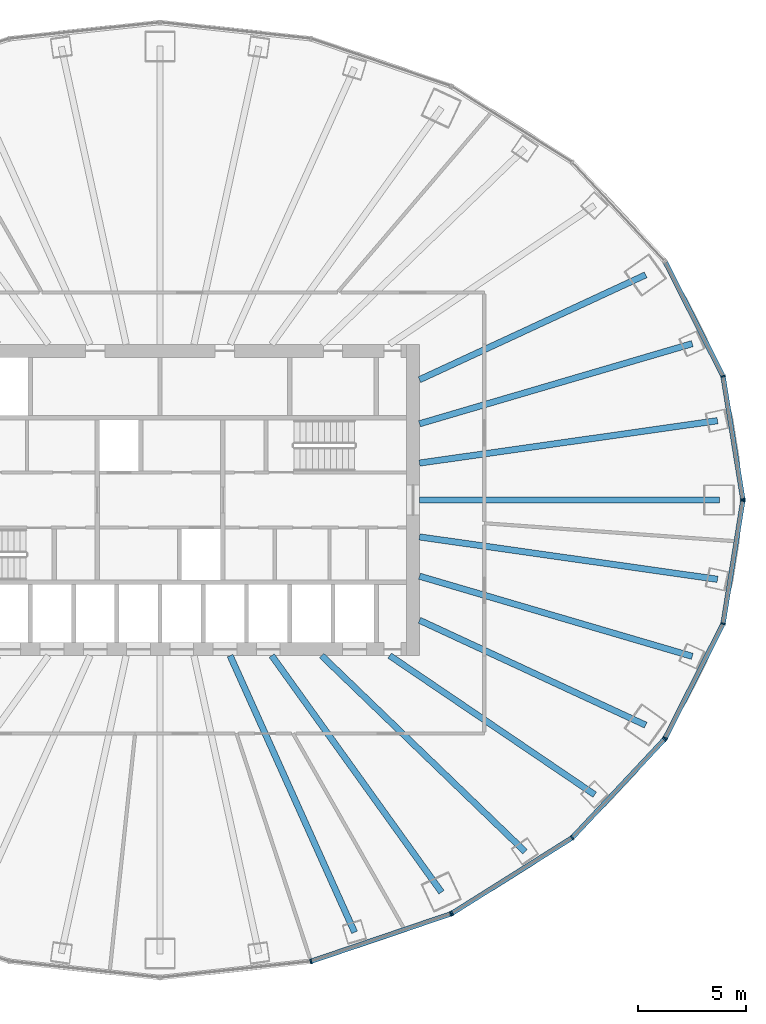
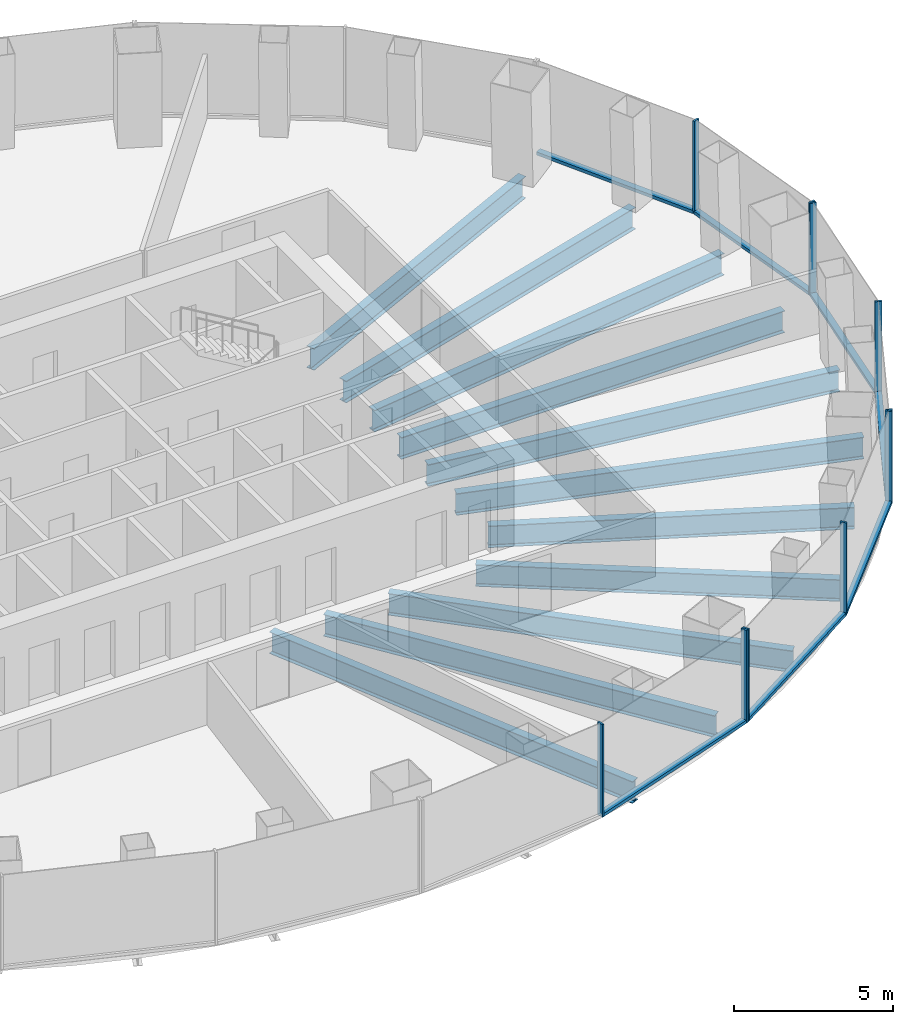
# One storey, part 4 of 11: 17 members, 11 beams, 4 elements without a shape of their own.
"""IFC4 building model written with IfcOpenShell, lengths in metres."""

import ifcopenshell
import ifcopenshell.guid

model = None  # the IFC model being written
_history = None  # IfcOwnerHistory: only IFC2X3 demands one
_inside = {}  # id of a spatial element -> (the spatial element, [elements in it])
_under = {}  # id of a project, library or spatial element -> (it, [spatial elements below it])
_declared = {}  # id of a project -> (the project, [libraries it declares])
_typed = {}  # id of a type object -> (the type object, [elements of that type])
_made_of = {}  # id of a material, layer set ... -> (it, [elements and type objects made of it])


def new_model(schema):
    """Start an empty IFC model of exactly this schema.

    Asked for "IFC4X3", IfcOpenShell would pick the latest addendum, in which some entities
    have other attributes; the version numbers below select the first issue.
    IFC2X3 requires an IfcOwnerHistory on every rooted entity: one is made here for all.
    """
    global model, _history
    if schema == "IFC4X3":
        model = ifcopenshell.file(schema_version=(4, 3, 0, 0))
    else:
        model = ifcopenshell.file(schema=schema)
    _inside.clear()
    _under.clear()
    _declared.clear()
    _typed.clear()
    _made_of.clear()
    _history = None
    if model.schema == "IFC2X3":
        org = make("IfcOrganization", Name="unknown")
        user = make(
            "IfcPersonAndOrganization",
            ThePerson=make("IfcPerson", FamilyName="unknown"),
            TheOrganization=org,
        )
        app = make(
            "IfcApplication",
            ApplicationDeveloper=org,
            Version="unknown",
            ApplicationFullName="unknown",
            ApplicationIdentifier="unknown",
        )
        _history = make(
            "IfcOwnerHistory",
            OwningUser=user,
            OwningApplication=app,
            ChangeAction="ADDED",
            CreationDate=0,
        )
    return model


def make(cls, **values):
    """One entity of the class cls with the attributes given. An attribute that is None is left unset."""
    return model.create_entity(
        cls, **{name: value for name, value in values.items() if value is not None}
    )


def rooted(cls, **values):
    """An entity with a GlobalId (a new one), such as an element, a storey or a relation."""
    return make(cls, GlobalId=ifcopenshell.guid.new(), OwnerHistory=_history, **values)


def si_unit(unit_type, name, prefix=None):
    """IfcSIUnit, for example si_unit("LENGTHUNIT", "METRE", prefix="MILLI")."""
    return make("IfcSIUnit", UnitType=unit_type, Prefix=prefix, Name=name)


def assignment(units):
    """IfcUnitAssignment: the units of a project."""
    return None if units is None else make("IfcUnitAssignment", Units=units)


def point(xyz):
    """IfcCartesianPoint."""
    return None if xyz is None else make("IfcCartesianPoint", Coordinates=xyz)


def direction(xyz):
    """IfcDirection."""
    return None if xyz is None else make("IfcDirection", DirectionRatios=xyz)


def frame(location, z_axis=None, x_axis=None):
    """IfcAxis2Placement3D, a coordinate frame: its origin and axes. An axis left out is left unset."""
    return make(
        "IfcAxis2Placement3D",
        Location=point(location),
        Axis=direction(z_axis),
        RefDirection=direction(x_axis),
    )


def frame_2d(location, x_axis=None):
    """IfcAxis2Placement2D, a coordinate frame in the plane: its origin and x axis."""
    return make(
        "IfcAxis2Placement2D", Location=point(location), RefDirection=direction(x_axis)
    )


def origin():
    """The frame at (0, 0, 0) with its axes left unset."""
    return frame((0.0, 0.0, 0.0))


def origin_2d():
    """The frame at (0, 0) in the plane with its x axis left unset."""
    return frame_2d((0.0, 0.0))


def place(relative_to, where):
    """IfcLocalPlacement: puts the frame where relative to a parent placement (None: the world)."""
    return make(
        "IfcLocalPlacement", PlacementRelTo=relative_to, RelativePlacement=where
    )


def context(
    kind, dimensions, precision=None, world=None, true_north=None, identifier=None
):
    """IfcGeometricRepresentationContext, for example the 3D "Model" context."""
    return make(
        "IfcGeometricRepresentationContext",
        ContextIdentifier=identifier,
        ContextType=kind,
        CoordinateSpaceDimension=dimensions,
        Precision=precision,
        WorldCoordinateSystem=world,
        TrueNorth=true_north,
    )


def subcontext(parent, identifier, kind, view, scale=None):
    """IfcGeometricRepresentationSubContext, for example "Body" below "Model"."""
    return make(
        "IfcGeometricRepresentationSubContext",
        ContextIdentifier=identifier,
        ContextType=kind,
        ParentContext=parent,
        TargetScale=scale,
        TargetView=view,
    )


def project(units=None, contexts=None):
    """IfcProject with its units and contexts."""
    return rooted(
        "IfcProject",
        Name="project",
        RepresentationContexts=contexts,
        UnitsInContext=assignment(units),
    )


def spatial(cls, under=None, at=None, **own):
    """A site, building, storey or space (cls), placed at a placement, below another one or the project."""
    s = rooted(cls, ObjectPlacement=at, **own)
    if under is not None:
        _under.setdefault(under.id(), (under, []))[1].append(s)
    return s


def profile(cls, at=None, kind="AREA", **sizes):
    """A parametric profile (cls). Its sizes go by their IFC names, for example OverallWidth=200.0."""
    return make(cls, ProfileType=kind, Position=at, **sizes)


def rectangle(**sizes):
    """IfcRectangleProfileDef."""
    return profile("IfcRectangleProfileDef", **sizes)


def i_section(**sizes):
    """IfcIShapeProfileDef."""
    return profile("IfcIShapeProfileDef", **sizes)


def extrude(swept, where, along, depth):
    """IfcExtrudedAreaSolid: the profile swept, set in the frame where, extruded along a direction by depth."""
    return make(
        "IfcExtrudedAreaSolid",
        SweptArea=swept,
        Position=where,
        ExtrudedDirection=direction(along),
        Depth=depth,
    )


def shape(context_of_items, identifier, shape_type, items):
    """IfcShapeRepresentation: the items that make up one representation, for example the "Body"."""
    return make(
        "IfcShapeRepresentation",
        ContextOfItems=context_of_items,
        RepresentationIdentifier=identifier,
        RepresentationType=shape_type,
        Items=items,
    )


def material(Name=None, Category=None):
    """IfcMaterial."""
    return make("IfcMaterial", Name=Name, Category=Category)


def layer(
    of_material, thickness, ventilated=None, Name=None, Category=None, Priority=None
):
    """IfcMaterialLayer: one layer of a wall or slab, of a material (None: an air gap)."""
    return make(
        "IfcMaterialLayer",
        Material=of_material,
        LayerThickness=thickness,
        IsVentilated=ventilated,
        Name=Name,
        Category=Category,
        Priority=Priority,
    )


def layer_set(layers, Name=None):
    """IfcMaterialLayerSet."""
    return make("IfcMaterialLayerSet", MaterialLayers=layers, LayerSetName=Name)


def material_profile(
    of_material, cross_section, Name=None, Category=None, Priority=None
):
    """IfcMaterialProfile: a cross section and its material."""
    return make(
        "IfcMaterialProfile",
        Name=Name,
        Material=of_material,
        Profile=cross_section,
        Priority=Priority,
        Category=Category,
    )


def profile_set(profiles, Name=None, composite=None):
    """IfcMaterialProfileSet."""
    return make(
        "IfcMaterialProfileSet",
        Name=Name,
        MaterialProfiles=profiles,
        CompositeProfile=composite,
    )


def made_of(thing, what):
    """Note that an element or type object is made of a material, layer set ...; save() writes the relation."""
    if what is not None:
        _made_of.setdefault(what.id(), (what, []))[1].append(thing)
    return thing


def type_object(cls, material=None, **own):
    """A type object (cls), such as IfcWallType, which elements share."""
    return made_of(rooted(cls, **own), material)


def element(
    cls,
    number,
    at=None,
    inside=None,
    cuts=None,
    type_object=None,
    material=None,
    context=None,
    identifier="Body",
    shape_type=None,
    held_by="IfcProductDefinitionShape",
    body=None,
    shapes=None,
    **own,
):
    """One element of the class cls, such as IfcWall. Its Tag is "e" and its number.

    at: its placement. inside: the storey or other place that contains it. cuts: it is an
    opening in that element (IfcRelVoidsElement). A single representation is given by context,
    identifier, shape_type and body (its items); several are given by shapes. held_by: the class
    of the entity that holds the representations. save() writes the other relations.
    """
    e = rooted(cls, Tag="e%d" % number, ObjectPlacement=at, **own)
    if body is not None:
        shapes = [shape(context, identifier, shape_type, body)]
    if shapes is not None:
        e.Representation = make(held_by, Representations=shapes)
    if inside is not None:
        _inside.setdefault(inside.id(), (inside, []))[1].append(e)
    if cuts is not None:
        rooted(
            "IfcRelVoidsElement", RelatingBuildingElement=cuts, RelatedOpeningElement=e
        )
    if type_object is not None:
        _typed.setdefault(type_object.id(), (type_object, []))[1].append(e)
    return made_of(e, material)


def aggregate(whole, parts):
    """IfcRelAggregates: a whole, such as a stair, and the parts it consists of."""
    return rooted("IfcRelAggregates", RelatingObject=whole, RelatedObjects=parts)


def save(model, path):
    """Write the relations noted so far, then the file.

    IfcRelAggregates (storeys below a building ...), IfcRelContainedInSpatialStructure (elements
    in a storey), IfcRelDefinesByType, IfcRelAssociatesMaterial and IfcRelDeclares: one each for
    every whole, place, type object, material and project.
    """
    for whole, parts in _under.values():
        aggregate(whole, parts)
    for where, things in _inside.values():
        rooted(
            "IfcRelContainedInSpatialStructure",
            RelatedElements=things,
            RelatingStructure=where,
        )
    for kind, things in _typed.values():
        rooted("IfcRelDefinesByType", RelatedObjects=things, RelatingType=kind)
    for what, things in _made_of.values():
        rooted("IfcRelAssociatesMaterial", RelatedObjects=things, RelatingMaterial=what)
    for by, libraries in _declared.values():
        rooted("IfcRelDeclares", RelatingContext=by, RelatedDefinitions=libraries)
    model.write(path)


model = new_model("IFC4")

# Units and contexts
model_context = context("Model", 3, precision=1e-05, world=origin(), true_north=direction((0.0, 1.0)))
body_context = subcontext(model_context, "Body", "Model", "MODEL_VIEW")
ifc_project = project(units=[si_unit("LENGTHUNIT", "METRE"), si_unit("AREAUNIT", "SQUARE_METRE"), si_unit("VOLUMEUNIT", "CUBIC_METRE"), si_unit("PLANEANGLEUNIT", "RADIAN"), si_unit("MASSUNIT", "GRAM", prefix="KILO")], contexts=[model_context])

# Site, building, storey
site_placement = place(None, origin())
site = spatial("IfcSite", under=ifc_project, at=site_placement, CompositionType="ELEMENT")
building_placement = place(site_placement, origin())
building = spatial("IfcBuilding", under=site, at=building_placement, Name="Siaravel Broadcast Tower", CompositionType="ELEMENT")
storey_placement = place(building_placement, frame((0.0, 0.0, 74.10009765625)))
storey = spatial("IfcBuildingStorey", under=building, at=storey_placement, Name="L17", CompositionType="ELEMENT", Elevation=74.10009765625)

# Beams
ifc_material_1 = material(Name="Steel S355", Category="steel")
ifc_material_profile_1 = material_profile(ifc_material_1, i_section(OverallWidth=0.291748046875, OverallDepth=0.8349609375, WebThickness=0.013916015625, FlangeThickness=0.018798828125, FilletRadius=0.017822265625, at=origin_2d()))
ifc_profile_set_1 = profile_set([ifc_material_profile_1], Name="Steel S355")
beam_type = type_object("IfcBeamType", Name="BM-UB 838x292x176", PredefinedType="BEAM", material=ifc_profile_set_1)
beam_1_placement = place(storey_placement, frame((25.877685546875, 0.0, -0.567626953125), z_axis=(-1.0, 0.0, 0.0), x_axis=(0.0, -1.0, 0.0)))
element("IfcBeam", 1, at=beam_1_placement, inside=storey, type_object=beam_type, Name="Radial beam RB01", PredefinedType="BEAM", context=body_context, shape_type="SweptSolid", body=[
    extrude(i_section(OverallWidth=0.291748046875, OverallDepth=0.8349609375, WebThickness=0.013916015625, FlangeThickness=0.018798828125, FilletRadius=0.017822265625, at=origin_2d()), origin(), (0.0, 0.0, 1.0), 13.877685546875),
])
beam_2_placement = place(storey_placement, frame((25.78564453125, 3.6689453125, -0.567626953125), z_axis=(-0.990029287, -0.140861674, 0.0), x_axis=(0.140861674, -0.990029287, 0.0)))
element("IfcBeam", 2, at=beam_2_placement, inside=storey, type_object=beam_type, Name="Radial beam RB02", PredefinedType="BEAM", context=body_context, shape_type="SweptSolid", body=[
    extrude(i_section(OverallWidth=0.291748046875, OverallDepth=0.8349609375, WebThickness=0.013916015625, FlangeThickness=0.018798828125, FilletRadius=0.017822265625, at=origin_2d()), origin(), (0.0, 0.0, 1.0), 13.924560546875),
])
beam_3_placement = place(storey_placement, frame((24.61962890625, 7.23291015625, -0.567626953125), z_axis=(-0.959450581, -0.281876892, 0.0), x_axis=(0.281876892, -0.959450581, 0.0)))
element("IfcBeam", 3, at=beam_3_placement, inside=storey, type_object=beam_type, Name="Radial beam RB03", PredefinedType="BEAM", context=body_context, shape_type="SweptSolid", body=[
    extrude(i_section(OverallWidth=0.291748046875, OverallDepth=0.8349609375, WebThickness=0.013916015625, FlangeThickness=0.018798828125, FilletRadius=0.017822265625, at=origin_2d()), origin(), (0.0, 0.0, 1.0), 13.153076171875),
])
beam_4_placement = place(storey_placement, frame((22.464111328125, 10.4150390625, -0.567626953125), z_axis=(-0.907241267, -0.420610607, 0.0), x_axis=(0.420610607, -0.907241267, 0.0)))
element("IfcBeam", 4, at=beam_4_placement, inside=storey, type_object=beam_type, Name="Radial beam RB04", PredefinedType="BEAM", context=body_context, shape_type="SweptSolid", body=[
    extrude(i_section(OverallWidth=0.291748046875, OverallDepth=0.8349609375, WebThickness=0.013916015625, FlangeThickness=0.018798828125, FilletRadius=0.017822265625, at=origin_2d()), origin(), (0.0, 0.0, 1.0), 11.533935546875),
])
beam_5_placement = place(storey_placement, frame((8.998291015625, -19.998291015625, -0.567626953125), z_axis=(-0.410337191, 0.911933874, 0.0), x_axis=(-0.911933874, -0.410337191, 0.0)))
element("IfcBeam", 5, at=beam_5_placement, inside=storey, type_object=beam_type, Name="Radial beam RB30", PredefinedType="BEAM", context=body_context, shape_type="SweptSolid", body=[
    extrude(i_section(OverallWidth=0.291748046875, OverallDepth=0.8349609375, WebThickness=0.013916015625, FlangeThickness=0.018798828125, FilletRadius=0.017822265625, at=origin_2d()), origin(), (0.0, 0.0, 1.0), 14.0341796875),
])
beam_6_placement = place(storey_placement, frame((13.0185546875, -18.142822265625, -0.567626953125), z_axis=(-0.582992686, 0.812477401, 0.0), x_axis=(-0.812477401, -0.582992686, 0.0)))
element("IfcBeam", 6, at=beam_6_placement, inside=storey, type_object=beam_type, Name="Radial beam RB31", PredefinedType="BEAM", context=body_context, shape_type="SweptSolid", body=[
    extrude(i_section(OverallWidth=0.291748046875, OverallDepth=0.8349609375, WebThickness=0.013916015625, FlangeThickness=0.018798828125, FilletRadius=0.017822265625, at=origin_2d()), origin(), (0.0, 0.0, 1.0), 13.468505859375),
])
beam_7_placement = place(storey_placement, frame((16.8876953125, -16.2685546875, -0.567626953125), z_axis=(-0.720179523, 0.693787759, 0.0), x_axis=(-0.693787759, -0.720179523, 0.0)))
element("IfcBeam", 7, at=beam_7_placement, inside=storey, type_object=beam_type, Name="Radial beam RB32", PredefinedType="BEAM", context=body_context, shape_type="SweptSolid", body=[
    extrude(i_section(OverallWidth=0.291748046875, OverallDepth=0.8349609375, WebThickness=0.013916015625, FlangeThickness=0.018798828125, FilletRadius=0.017822265625, at=origin_2d()), origin(), (0.0, 0.0, 1.0), 13.071044921875),
])
beam_8_placement = place(storey_placement, frame((20.107177734375, -13.631591796875, -0.567626953125), z_axis=(-0.82771923, 0.561142474, 0.0), x_axis=(-0.561142474, -0.82771923, 0.0)))
element("IfcBeam", 8, at=beam_8_placement, inside=storey, type_object=beam_type, Name="Radial beam RB33", PredefinedType="BEAM", context=body_context, shape_type="SweptSolid", body=[
    extrude(i_section(OverallWidth=0.291748046875, OverallDepth=0.8349609375, WebThickness=0.013916015625, FlangeThickness=0.018798828125, FilletRadius=0.017822265625, at=origin_2d()), origin(), (0.0, 0.0, 1.0), 11.461669921875),
])
beam_9_placement = place(storey_placement, frame((22.464111328125, -10.4150390625, -0.567626953125), z_axis=(-0.907241267, 0.420610607, 0.0), x_axis=(-0.420610607, -0.907241267, 0.0)))
element("IfcBeam", 9, at=beam_9_placement, inside=storey, type_object=beam_type, Name="Radial beam RB34", PredefinedType="BEAM", context=body_context, shape_type="SweptSolid", body=[
    extrude(i_section(OverallWidth=0.291748046875, OverallDepth=0.8349609375, WebThickness=0.013916015625, FlangeThickness=0.018798828125, FilletRadius=0.017822265625, at=origin_2d()), origin(), (0.0, 0.0, 1.0), 11.533935546875),
])
beam_10_placement = place(storey_placement, frame((24.61962890625, -7.23291015625, -0.567626953125), z_axis=(-0.959450581, 0.281876892, 0.0), x_axis=(-0.281876892, -0.959450581, 0.0)))
element("IfcBeam", 10, at=beam_10_placement, inside=storey, type_object=beam_type, Name="Radial beam RB35", PredefinedType="BEAM", context=body_context, shape_type="SweptSolid", body=[
    extrude(i_section(OverallWidth=0.291748046875, OverallDepth=0.8349609375, WebThickness=0.013916015625, FlangeThickness=0.018798828125, FilletRadius=0.017822265625, at=origin_2d()), origin(), (0.0, 0.0, 1.0), 13.153076171875),
])
beam_11_placement = place(storey_placement, frame((25.78564453125, -3.6689453125, -0.567626953125), z_axis=(-0.990029287, 0.140861674, 0.0), x_axis=(-0.140861674, -0.990029287, 0.0)))
element("IfcBeam", 11, at=beam_11_placement, inside=storey, type_object=beam_type, Name="Radial beam RB36", PredefinedType="BEAM", context=body_context, shape_type="SweptSolid", body=[
    extrude(i_section(OverallWidth=0.291748046875, OverallDepth=0.8349609375, WebThickness=0.013916015625, FlangeThickness=0.018798828125, FilletRadius=0.017822265625, at=origin_2d()), origin(), (0.0, 0.0, 1.0), 13.924560546875),
])

# Curtain wall, members
ifc_material_2 = material(Name="Aluminium 6063-T6", Category="aluminium")
ifc_layer = layer(ifc_material_2, 0.219970703125)
ifc_layer_set = layer_set([ifc_layer], Name="Aluminium 6063-T6")
curtain_wall_type = type_object("IfcCurtainWallType", Name="Unitised curtain wall, zone 1", PredefinedType="NOTDEFINED", material=ifc_layer_set)
curtain_wall_1_placement = place(storey_placement, origin())
curtain_wall_1 = element("IfcCurtainWall", 12, at=curtain_wall_1_placement, inside=storey, type_object=curtain_wall_type, Name="L17 Unitised curtain wall, zone 1 01", PredefinedType="NOTDEFINED")
ifc_material_profile_2 = material_profile(ifc_material_2, rectangle(XDim=0.219970703125, YDim=0.070068359375, at=origin_2d()))
ifc_profile_set_2 = profile_set([ifc_material_profile_2], Name="Aluminium 6063-T6")
member_type_1 = type_object("IfcMemberType", Name="CW-Z1 mullion", PredefinedType="MULLION", material=ifc_profile_set_2)
member_1_placement = place(storey_placement, frame((26.9580078125, 0.03466796875, 0.0), z_axis=(0.0, 0.0, 1.0), x_axis=(-0.987329186, -0.158685468, 0.0)))
member_1 = element("IfcMember", 13, at=member_1_placement, type_object=member_type_1, Name="CW-Z1 mullion 1", PredefinedType="MULLION", context=body_context, shape_type="SweptSolid", body=[
    extrude(rectangle(XDim=0.219970703125, YDim=0.070068359375, at=origin_2d()), origin(), (0.0, 0.0, 1.0), 3.5498046875),
])
member_2_placement = place(storey_placement, frame((26.044189453125, 5.72119140625, 0.0), z_axis=(0.0, 0.0, 1.0), x_axis=(-0.951177254, -0.308645154, 0.0)))
member_2 = element("IfcMember", 14, at=member_2_placement, type_object=member_type_1, Name="CW-Z1 mullion 2", PredefinedType="MULLION", context=body_context, shape_type="SweptSolid", body=[
    extrude(rectangle(XDim=0.219970703125, YDim=0.070068359375, at=origin_2d()), origin(), (0.0, 0.0, 1.0), 3.5498046875),
])

curtain_wall_2_placement = place(storey_placement, origin())
curtain_wall_2 = element("IfcCurtainWall", 15, at=curtain_wall_2_placement, inside=storey, type_object=curtain_wall_type, Name="L17 Unitised curtain wall, zone 1 10", PredefinedType="NOTDEFINED")
member_3_placement = place(storey_placement, frame((6.9765625, -21.343017578125, 0.0), z_axis=(0.0, 0.0, 1.0), x_axis=(-0.21555841, 0.976490948, 0.0)))
member_3 = element("IfcMember", 16, at=member_3_placement, type_object=member_type_1, Name="CW-Z1 mullion 2", PredefinedType="MULLION", context=body_context, shape_type="SweptSolid", body=[
    extrude(rectangle(XDim=0.219970703125, YDim=0.070068359375, at=origin_2d()), origin(), (0.0, 0.0, 1.0), 3.5498046875),
])
member_4_placement = place(storey_placement, frame((13.445068359375, -19.148193359375, 0.0), z_axis=(0.0, 0.0, 1.0), x_axis=(-0.321301105, 0.946977085, 0.0)))
member_4 = element("IfcMember", 17, at=member_4_placement, type_object=member_type_1, Name="CW-Z1 mullion 3", PredefinedType="MULLION", context=body_context, shape_type="SweptSolid", body=[
    extrude(rectangle(XDim=0.219970703125, YDim=0.070068359375, at=origin_2d()), origin(), (0.0, 0.0, 1.0), 3.5498046875),
])

curtain_wall_3_placement = place(storey_placement, origin())
curtain_wall_3 = element("IfcCurtainWall", 18, at=curtain_wall_3_placement, inside=storey, type_object=curtain_wall_type, Name="L17 Unitised curtain wall, zone 1 11", PredefinedType="NOTDEFINED")
member_5_placement = place(storey_placement, frame((13.5078125, -19.118408203125, 0.0), z_axis=(0.0, 0.0, 1.0), x_axis=(-0.532149761, 0.846650242, 0.0)))
member_5 = element("IfcMember", 19, at=member_5_placement, type_object=member_type_1, Name="CW-Z1 mullion 1", PredefinedType="MULLION", context=body_context, shape_type="SweptSolid", body=[
    extrude(rectangle(XDim=0.219970703125, YDim=0.070068359375, at=origin_2d()), origin(), (0.0, 0.0, 1.0), 3.5498046875),
])
member_6_placement = place(storey_placement, frame((19.0625, -15.627197265625, 0.0), z_axis=(0.0, 0.0, 1.0), x_axis=(-0.63621907, 0.771508454, 0.0)))
member_6 = element("IfcMember", 20, at=member_6_placement, type_object=member_type_1, Name="CW-Z1 mullion 2", PredefinedType="MULLION", context=body_context, shape_type="SweptSolid", body=[
    extrude(rectangle(XDim=0.219970703125, YDim=0.070068359375, at=origin_2d()), origin(), (0.0, 0.0, 1.0), 3.5498046875),
])
member_7_placement = place(storey_placement, frame((23.32470703125, -11.076904296875, 0.0), z_axis=(0.0, 0.0, 1.0), x_axis=(-0.729805583, 0.683654746, 0.0)))
member_7 = element("IfcMember", 21, at=member_7_placement, type_object=member_type_1, Name="CW-Z1 mullion 3", PredefinedType="MULLION", context=body_context, shape_type="SweptSolid", body=[
    extrude(rectangle(XDim=0.219970703125, YDim=0.070068359375, at=origin_2d()), origin(), (0.0, 0.0, 1.0), 3.5498046875),
])

curtain_wall_4_placement = place(storey_placement, origin())
curtain_wall_4 = element("IfcCurtainWall", 22, at=curtain_wall_4_placement, inside=storey, type_object=curtain_wall_type, Name="L17 Unitised curtain wall, zone 1 12", PredefinedType="NOTDEFINED")
member_8_placement = place(storey_placement, frame((23.364501953125, -11.020263671875, 0.0), z_axis=(0.0, 0.0, 1.0), x_axis=(-0.892392184, 0.451260668, 0.0)))
member_8 = element("IfcMember", 23, at=member_8_placement, type_object=member_type_1, Name="CW-Z1 mullion 1", PredefinedType="MULLION", context=body_context, shape_type="SweptSolid", body=[
    extrude(rectangle(XDim=0.219970703125, YDim=0.070068359375, at=origin_2d()), origin(), (0.0, 0.0, 1.0), 3.5498046875),
])
member_9_placement = place(storey_placement, frame((26.044189453125, -5.72119140625, 0.0), z_axis=(0.0, 0.0, 1.0), x_axis=(-0.951177254, 0.308645154, 0.0)))
member_9 = element("IfcMember", 24, at=member_9_placement, type_object=member_type_1, Name="CW-Z1 mullion 2", PredefinedType="MULLION", context=body_context, shape_type="SweptSolid", body=[
    extrude(rectangle(XDim=0.219970703125, YDim=0.070068359375, at=origin_2d()), origin(), (0.0, 0.0, 1.0), 3.5498046875),
])
member_10_placement = place(storey_placement, frame((26.9580078125, -0.03466796875, 0.0), z_axis=(0.0, 0.0, 1.0), x_axis=(-0.987329186, 0.158685468, 0.0)))
member_10 = element("IfcMember", 25, at=member_10_placement, type_object=member_type_1, Name="CW-Z1 mullion 3", PredefinedType="MULLION", context=body_context, shape_type="SweptSolid", body=[
    extrude(rectangle(XDim=0.219970703125, YDim=0.070068359375, at=origin_2d()), origin(), (0.0, 0.0, 1.0), 3.5498046875),
])

# Member
ifc_material_profile_3 = material_profile(ifc_material_2, rectangle(XDim=0.219970703125, YDim=0.1201171875, at=origin_2d()))
ifc_profile_set_3 = profile_set([ifc_material_profile_3], Name="Aluminium 6063-T6")
member_type_2 = type_object("IfcMemberType", Name="CW-Z1 transom", PredefinedType="USERDEFINED", material=ifc_profile_set_3)
member_11_placement = place(storey_placement, frame((26.952392578125, 0.069091796875, 0.059814453125), z_axis=(-0.158676602, 0.987330611, 0.0), x_axis=(-0.987330611, -0.158676602, 0.0)))
member_11 = element("IfcMember", 26, at=member_11_placement, type_object=member_type_2, Name="CW-Z1 transom 1", ObjectType="TRANSOM", PredefinedType="USERDEFINED", context=body_context, shape_type="SweptSolid", body=[
    extrude(rectangle(XDim=0.219970703125, YDim=0.1201171875, at=origin_2d()), origin(), (0.0, 0.0, 1.0), 5.689697265625),
])

member_12_placement = place(storey_placement, frame((26.0283203125, 5.75244140625, 0.059814453125), z_axis=(-0.451253077, 0.892396022, 0.0), x_axis=(-0.892396022, -0.451253077, 0.0)))
member_12 = element("IfcMember", 27, at=member_12_placement, type_object=member_type_2, Name="CW-Z1 transom 2", ObjectType="TRANSOM", PredefinedType="USERDEFINED", context=body_context, shape_type="SweptSolid", body=[
    extrude(rectangle(XDim=0.219970703125, YDim=0.1201171875, at=origin_2d()), origin(), (0.0, 0.0, 1.0), 5.867919921875),
])

aggregate(curtain_wall_1, [member_1, member_2, member_11, member_12])

member_13_placement = place(storey_placement, frame((7.009521484375, -21.331787109375, 0.059814453125), z_axis=(0.946972422, 0.321314849, 0.0), x_axis=(-0.321314849, 0.946972422, 0.0)))
member_13 = element("IfcMember", 28, at=member_13_placement, type_object=member_type_2, Name="CW-Z1 transom 2", ObjectType="TRANSOM", PredefinedType="USERDEFINED", context=body_context, shape_type="SweptSolid", body=[
    extrude(rectangle(XDim=0.219970703125, YDim=0.1201171875, at=origin_2d()), origin(), (0.0, 0.0, 1.0), 6.7607421875),
])

aggregate(curtain_wall_2, [member_3, member_4, member_13])

member_14_placement = place(storey_placement, frame((13.537353515625, -19.099609375, 0.059814453125), z_axis=(0.846662211, 0.532130717, 0.0), x_axis=(-0.532130717, 0.846662211, 0.0)))
member_14 = element("IfcMember", 29, at=member_14_placement, type_object=member_type_2, Name="CW-Z1 transom 1", ObjectType="TRANSOM", PredefinedType="USERDEFINED", context=body_context, shape_type="SweptSolid", body=[
    extrude(rectangle(XDim=0.219970703125, YDim=0.1201171875, at=origin_2d()), origin(), (0.0, 0.0, 1.0), 6.49072265625),
])

member_15_placement = place(storey_placement, frame((19.08642578125, -15.6015625, 0.059814453125), z_axis=(0.683640708, 0.729818733, 0.0), x_axis=(-0.729818733, 0.683640708, 0.0)))
member_15 = element("IfcMember", 30, at=member_15_placement, type_object=member_type_2, Name="CW-Z1 transom 2", ObjectType="TRANSOM", PredefinedType="USERDEFINED", context=body_context, shape_type="SweptSolid", body=[
    extrude(rectangle(XDim=0.219970703125, YDim=0.1201171875, at=origin_2d()), origin(), (0.0, 0.0, 1.0), 6.16455078125),
])

aggregate(curtain_wall_3, [member_5, member_6, member_7, member_14, member_15])

member_16_placement = place(storey_placement, frame((23.38037109375, -10.989013671875, 0.059814453125), z_axis=(0.451253077, 0.892396022, 0.0), x_axis=(-0.892396022, 0.451253077, 0.0)))
member_16 = element("IfcMember", 31, at=member_16_placement, type_object=member_type_2, Name="CW-Z1 transom 1", ObjectType="TRANSOM", PredefinedType="USERDEFINED", context=body_context, shape_type="SweptSolid", body=[
    extrude(rectangle(XDim=0.219970703125, YDim=0.1201171875, at=origin_2d()), origin(), (0.0, 0.0, 1.0), 5.867919921875),
])

member_17_placement = place(storey_placement, frame((26.049560546875, -5.686767578125, 0.059814453125), z_axis=(0.158676602, 0.987330611, 0.0), x_axis=(-0.987330611, 0.158676602, 0.0)))
member_17 = element("IfcMember", 32, at=member_17_placement, type_object=member_type_2, Name="CW-Z1 transom 2", ObjectType="TRANSOM", PredefinedType="USERDEFINED", context=body_context, shape_type="SweptSolid", body=[
    extrude(rectangle(XDim=0.219970703125, YDim=0.1201171875, at=origin_2d()), origin(), (0.0, 0.0, 1.0), 5.689697265625),
])

aggregate(curtain_wall_4, [member_8, member_9, member_10, member_16, member_17])

save(model, "model.ifc")
